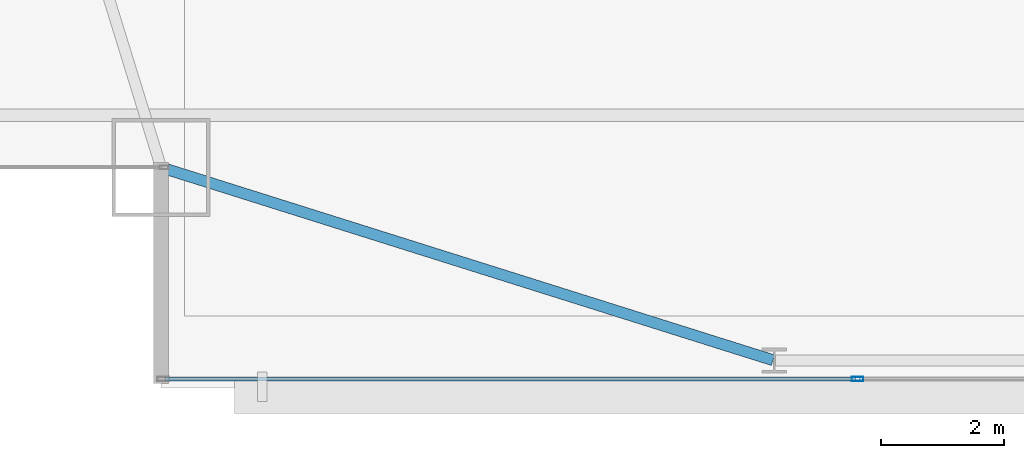
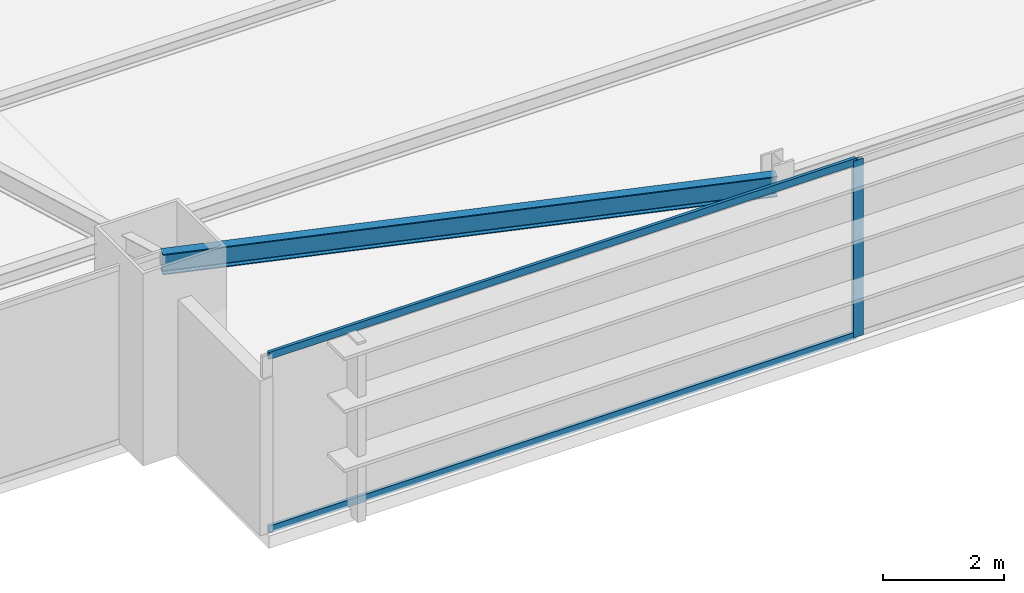
# One storey, part 4 of 32: 3 members, 1 beam, 1 element without a shape of its own.
"""IFC4 building model written with IfcOpenShell, lengths in metres."""

from ifc_helpers import new_model, si_unit, direction, frame, origin, origin_2d, place, context, subcontext, project, spatial, hollow_rectangle, i_section, extrude, source, transform, mapped, material, layer, layer_set, material_profile, profile_set, type_object, type_shapes, element, aggregate, save


model = new_model("IFC4")

# Units and contexts
model_context = context("Model", 3, precision=1e-05, world=origin(), true_north=direction((0.0, 1.0)))
body_context = subcontext(model_context, "Body", "Model", "MODEL_VIEW")
ifc_project = project(units=[si_unit("LENGTHUNIT", "METRE"), si_unit("AREAUNIT", "SQUARE_METRE"), si_unit("VOLUMEUNIT", "CUBIC_METRE"), si_unit("PLANEANGLEUNIT", "RADIAN"), si_unit("MASSUNIT", "GRAM", prefix="KILO")], contexts=[model_context])

# Site, building, storey
site_placement = place(None, origin())
site = spatial("IfcSite", under=ifc_project, at=site_placement, CompositionType="ELEMENT")
building_placement = place(site_placement, origin())
building = spatial("IfcBuilding", under=site, at=building_placement, Name="Varnel Quay Broadcast Tower", CompositionType="ELEMENT")
storey_placement = place(building_placement, frame((0.0, 0.0, 78.300048828125)))
storey = spatial("IfcBuildingStorey", under=building, at=storey_placement, Name="L18", CompositionType="ELEMENT", Elevation=78.300048828125)

# Beam
ifc_material_1 = material(Name="Structural Steel CSA G40.21 350W", Category="steel")
ifc_material_profile_1 = material_profile(ifc_material_1, i_section(OverallWidth=0.180908203125, OverallDepth=0.4169921875, WebThickness=0.010986328125, FlangeThickness=0.018310546875, FilletRadius=0.011962890625, at=origin_2d()), Name="W410X85")
ifc_profile_set_1 = profile_set([ifc_material_profile_1], Name="Structural Steel CSA G40.21 350W")
beam_type = type_object("IfcBeamType", Name="Beam_W410X85", PredefinedType="SPANDREL", material=ifc_profile_set_1)
shared_shape_1 = source(origin(), body_context, "Body", "SweptSolid", [
    extrude(i_section(OverallWidth=0.180908203125, OverallDepth=0.4169921875, WebThickness=0.010986328125, FlangeThickness=0.018310546875, FilletRadius=0.011962890625, at=origin_2d()), origin(), (0.0, 0.0, 1.0), 10.444091796875),
])
type_shapes(beam_type, [shared_shape_1])
beam_placement = place(storey_placement, frame((5.619140625, 4.7939453125, 3.371337890625), z_axis=(0.953798277271, -0.300447743003, 0.0), x_axis=(0.300447743003, 0.953798277271, 0.0)))
element("IfcBeam", 1, at=beam_placement, inside=storey, type_object=beam_type, Name="L18 South Spandrel MC-SW-TC-S1", PredefinedType="SPANDREL", context=body_context, shape_type="MappedRepresentation", body=[
    mapped(shared_shape_1, transform((0.0, 0.0, 0.0), x_axis=(1.0, 0.0, 0.0), y_axis=(0.0, 1.0, 0.0), z_axis=(0.0, 0.0, 1.0), scale=1.0)),
])

# Curtain wall, members
ifc_material_2 = material(Name="Anodised Bronze Aluminium 6063-T6", Category="aluminium")
ifc_layer = layer(ifc_material_2, 0.18994140625, Name="Anodised Bronze Aluminium 6063-T6")
ifc_layer_set = layer_set([ifc_layer], Name="Anodised Bronze Aluminium 6063-T6")
curtain_wall_type = type_object("IfcCurtainWallType", Name="CW_LowerTower", PredefinedType="NOTDEFINED", material=ifc_layer_set)
curtain_wall_placement = place(storey_placement, origin())
curtain_wall = element("IfcCurtainWall", 2, at=curtain_wall_placement, inside=storey, type_object=curtain_wall_type, Name="L18 South Unitised Curtain Wall 1", PredefinedType="NOTDEFINED")
ifc_material_profile_2 = material_profile(ifc_material_2, hollow_rectangle(XDim=0.06005859375, YDim=0.14501953125, WallThickness=0.00341796875, at=origin_2d()), Name="ALU60X145X3.5")
ifc_profile_set_2 = profile_set([ifc_material_profile_2], Name="Anodised Bronze Aluminium 6063-T6")
member_type_1 = type_object("IfcMemberType", Name="Tran_CWS-02", PredefinedType="USERDEFINED", material=ifc_profile_set_2)
shared_shape_2 = source(origin(), body_context, "Body", "SweptSolid", [
    extrude(hollow_rectangle(XDim=0.06005859375, YDim=0.14501953125, WallThickness=0.00341796875, at=origin_2d()), origin(), (0.0, 0.0, 1.0), 11.255126953125),
])
type_shapes(member_type_1, [shared_shape_2])
member_1_placement = place(storey_placement, frame((5.669921875, 1.35009765625, 0.030029296875), z_axis=(1.0, 0.0, 0.0), x_axis=(0.0, 1.0, 0.0)))
member_1 = element("IfcMember", 3, at=member_1_placement, type_object=member_type_1, Name="CWS-02 transom 1.1", ObjectType="TRANSOM", PredefinedType="USERDEFINED", context=body_context, shape_type="MappedRepresentation", body=[
    mapped(shared_shape_2, transform((0.0, 0.0, 0.0), x_axis=(1.0, 0.0, 0.0), y_axis=(0.0, 1.0, 0.0), z_axis=(0.0, 0.0, 1.0), scale=1.0)),
])
member_2_placement = place(storey_placement, frame((5.669921875, 1.35009765625, 3.550048828125), z_axis=(1.0, 0.0, 0.0), x_axis=(0.0, 1.0, 0.0)))
member_2 = element("IfcMember", 4, at=member_2_placement, type_object=member_type_1, Name="CWS-02 transom 1.2", ObjectType="TRANSOM", PredefinedType="USERDEFINED", context=body_context, shape_type="MappedRepresentation", body=[
    mapped(shared_shape_2, transform((0.0, 0.0, 0.0), x_axis=(1.0, 0.0, 0.0), y_axis=(0.0, 1.0, 0.0), z_axis=(0.0, 0.0, 1.0), scale=1.0)),
])
ifc_material_profile_3 = material_profile(ifc_material_2, hollow_rectangle(XDim=0.070068359375, YDim=0.18994140625, WallThickness=0.00390625, at=origin_2d()), Name="ALU70X190X4")
ifc_profile_set_3 = profile_set([ifc_material_profile_3], Name="Anodised Bronze Aluminium 6063-T6")
member_type_2 = type_object("IfcMemberType", Name="Mull_CWS-02", PredefinedType="MULLION", material=ifc_profile_set_3)
shared_shape_3 = source(origin(), body_context, "Body", "SweptSolid", [
    extrude(hollow_rectangle(XDim=0.070068359375, YDim=0.18994140625, WallThickness=0.00390625, at=origin_2d()), origin(), (0.0, 0.0, 1.0), 3.579833984375),
])
type_shapes(member_type_2, [shared_shape_3])
member_3_placement = place(storey_placement, frame((16.9599609375, 1.35009765625, 0.0), z_axis=(0.0, 0.0, 1.0), x_axis=(0.0, 1.0, 0.0)))
member_3 = element("IfcMember", 5, at=member_3_placement, type_object=member_type_2, Name="CWS-02 mullion 2", PredefinedType="MULLION", context=body_context, shape_type="MappedRepresentation", body=[
    mapped(shared_shape_3, transform((0.0, 0.0, 0.0), x_axis=(1.0, 0.0, 0.0), y_axis=(0.0, 1.0, 0.0), z_axis=(0.0, 0.0, 1.0), scale=1.0)),
])
aggregate(curtain_wall, [member_3, member_1, member_2])

save(model, "model.ifc")
